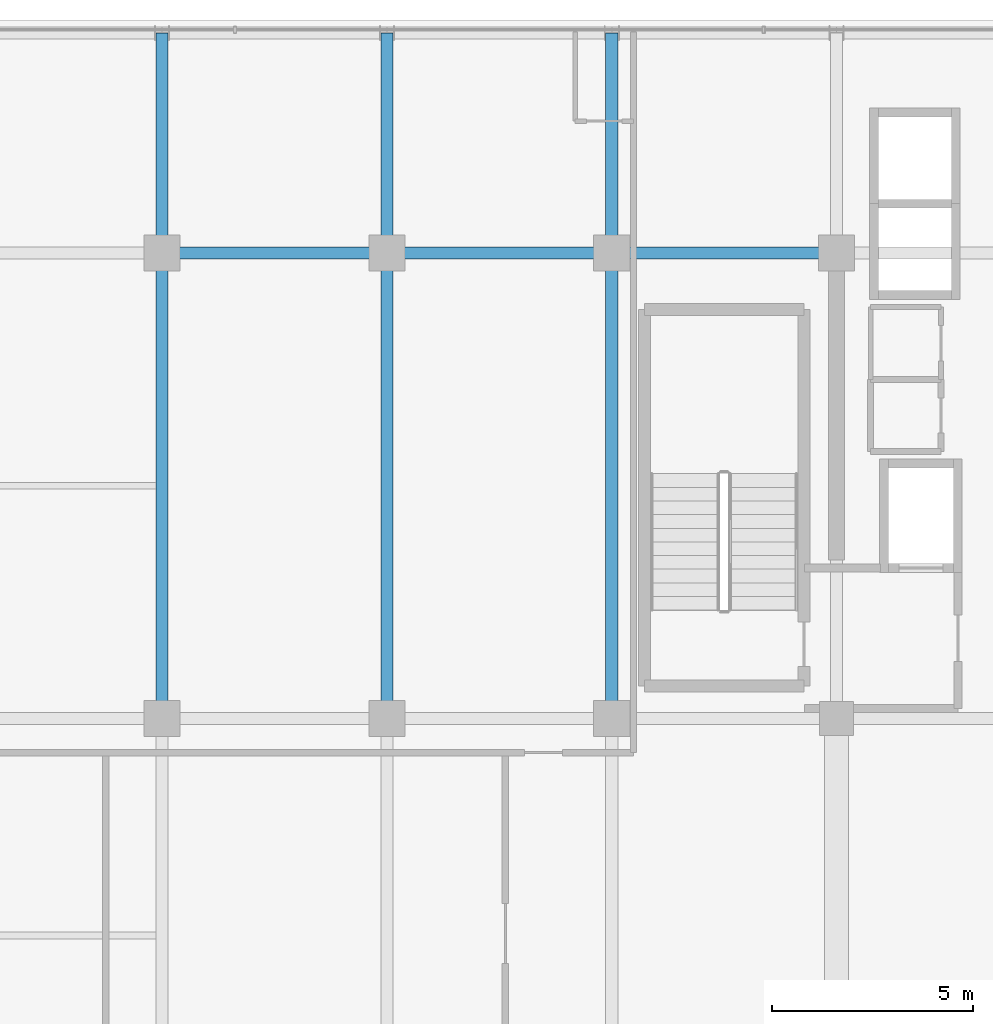
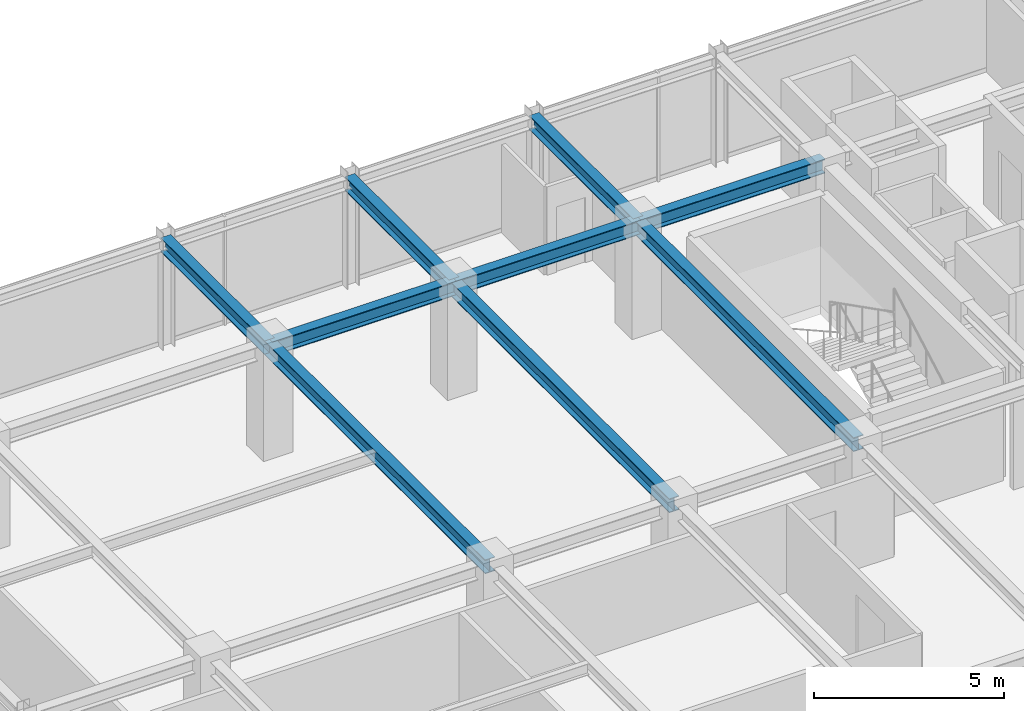
# One storey, part 19 of 31: 9 beams.
"""IFC4 building model written with IfcOpenShell, lengths in metres."""

import ifcopenshell
import ifcopenshell.guid

model = None  # the IFC model being written
_history = None  # IfcOwnerHistory: only IFC2X3 demands one
_inside = {}  # id of a spatial element -> (the spatial element, [elements in it])
_under = {}  # id of a project, library or spatial element -> (it, [spatial elements below it])
_declared = {}  # id of a project -> (the project, [libraries it declares])
_typed = {}  # id of a type object -> (the type object, [elements of that type])
_made_of = {}  # id of a material, layer set ... -> (it, [elements and type objects made of it])


def new_model(schema):
    """Start an empty IFC model of exactly this schema.

    Asked for "IFC4X3", IfcOpenShell would pick the latest addendum, in which some entities
    have other attributes; the version numbers below select the first issue.
    IFC2X3 requires an IfcOwnerHistory on every rooted entity: one is made here for all.
    """
    global model, _history
    if schema == "IFC4X3":
        model = ifcopenshell.file(schema_version=(4, 3, 0, 0))
    else:
        model = ifcopenshell.file(schema=schema)
    _inside.clear()
    _under.clear()
    _declared.clear()
    _typed.clear()
    _made_of.clear()
    _history = None
    if model.schema == "IFC2X3":
        org = make("IfcOrganization", Name="unknown")
        user = make(
            "IfcPersonAndOrganization",
            ThePerson=make("IfcPerson", FamilyName="unknown"),
            TheOrganization=org,
        )
        app = make(
            "IfcApplication",
            ApplicationDeveloper=org,
            Version="unknown",
            ApplicationFullName="unknown",
            ApplicationIdentifier="unknown",
        )
        _history = make(
            "IfcOwnerHistory",
            OwningUser=user,
            OwningApplication=app,
            ChangeAction="ADDED",
            CreationDate=0,
        )
    return model


def make(cls, **values):
    """One entity of the class cls with the attributes given. An attribute that is None is left unset."""
    return model.create_entity(
        cls, **{name: value for name, value in values.items() if value is not None}
    )


def rooted(cls, **values):
    """An entity with a GlobalId (a new one), such as an element, a storey or a relation."""
    return make(cls, GlobalId=ifcopenshell.guid.new(), OwnerHistory=_history, **values)


def si_unit(unit_type, name, prefix=None):
    """IfcSIUnit, for example si_unit("LENGTHUNIT", "METRE", prefix="MILLI")."""
    return make("IfcSIUnit", UnitType=unit_type, Prefix=prefix, Name=name)


def assignment(units):
    """IfcUnitAssignment: the units of a project."""
    return None if units is None else make("IfcUnitAssignment", Units=units)


def point(xyz):
    """IfcCartesianPoint."""
    return None if xyz is None else make("IfcCartesianPoint", Coordinates=xyz)


def direction(xyz):
    """IfcDirection."""
    return None if xyz is None else make("IfcDirection", DirectionRatios=xyz)


def frame(location, z_axis=None, x_axis=None):
    """IfcAxis2Placement3D, a coordinate frame: its origin and axes. An axis left out is left unset."""
    return make(
        "IfcAxis2Placement3D",
        Location=point(location),
        Axis=direction(z_axis),
        RefDirection=direction(x_axis),
    )


def frame_2d(location, x_axis=None):
    """IfcAxis2Placement2D, a coordinate frame in the plane: its origin and x axis."""
    return make(
        "IfcAxis2Placement2D", Location=point(location), RefDirection=direction(x_axis)
    )


def origin():
    """The frame at (0, 0, 0) with its axes left unset."""
    return frame((0.0, 0.0, 0.0))


def origin_2d():
    """The frame at (0, 0) in the plane with its x axis left unset."""
    return frame_2d((0.0, 0.0))


def place(relative_to, where):
    """IfcLocalPlacement: puts the frame where relative to a parent placement (None: the world)."""
    return make(
        "IfcLocalPlacement", PlacementRelTo=relative_to, RelativePlacement=where
    )


def context(
    kind, dimensions, precision=None, world=None, true_north=None, identifier=None
):
    """IfcGeometricRepresentationContext, for example the 3D "Model" context."""
    return make(
        "IfcGeometricRepresentationContext",
        ContextIdentifier=identifier,
        ContextType=kind,
        CoordinateSpaceDimension=dimensions,
        Precision=precision,
        WorldCoordinateSystem=world,
        TrueNorth=true_north,
    )


def subcontext(parent, identifier, kind, view, scale=None):
    """IfcGeometricRepresentationSubContext, for example "Body" below "Model"."""
    return make(
        "IfcGeometricRepresentationSubContext",
        ContextIdentifier=identifier,
        ContextType=kind,
        ParentContext=parent,
        TargetScale=scale,
        TargetView=view,
    )


def project(units=None, contexts=None):
    """IfcProject with its units and contexts."""
    return rooted(
        "IfcProject",
        Name="project",
        RepresentationContexts=contexts,
        UnitsInContext=assignment(units),
    )


def spatial(cls, under=None, at=None, **own):
    """A site, building, storey or space (cls), placed at a placement, below another one or the project."""
    s = rooted(cls, ObjectPlacement=at, **own)
    if under is not None:
        _under.setdefault(under.id(), (under, []))[1].append(s)
    return s


def profile(cls, at=None, kind="AREA", **sizes):
    """A parametric profile (cls). Its sizes go by their IFC names, for example OverallWidth=200.0."""
    return make(cls, ProfileType=kind, Position=at, **sizes)


def i_section(**sizes):
    """IfcIShapeProfileDef."""
    return profile("IfcIShapeProfileDef", **sizes)


def extrude(swept, where, along, depth):
    """IfcExtrudedAreaSolid: the profile swept, set in the frame where, extruded along a direction by depth."""
    return make(
        "IfcExtrudedAreaSolid",
        SweptArea=swept,
        Position=where,
        ExtrudedDirection=direction(along),
        Depth=depth,
    )


def shape(context_of_items, identifier, shape_type, items):
    """IfcShapeRepresentation: the items that make up one representation, for example the "Body"."""
    return make(
        "IfcShapeRepresentation",
        ContextOfItems=context_of_items,
        RepresentationIdentifier=identifier,
        RepresentationType=shape_type,
        Items=items,
    )


def source(mapping_origin, context_of_items, identifier, shape_type, items):
    """IfcRepresentationMap: a shape defined once, which mapped items show again and again."""
    return make(
        "IfcRepresentationMap",
        MappingOrigin=mapping_origin,
        MappedRepresentation=shape(context_of_items, identifier, shape_type, items),
    )


def transform(
    local_origin,
    x_axis=None,
    y_axis=None,
    z_axis=None,
    scale=None,
    scale2=None,
    scale3=None,
    uniform=True,
):
    """IfcCartesianTransformationOperator3D, or its non-uniform kind. x_axis, y_axis, z_axis: its Axis1, 2, 3."""
    if uniform:
        return make(
            "IfcCartesianTransformationOperator3D",
            Axis1=direction(x_axis),
            Axis2=direction(y_axis),
            LocalOrigin=point(local_origin),
            Scale=scale,
            Axis3=direction(z_axis),
        )
    return make(
        "IfcCartesianTransformationOperator3DnonUniform",
        Axis1=direction(x_axis),
        Axis2=direction(y_axis),
        LocalOrigin=point(local_origin),
        Scale=scale,
        Axis3=direction(z_axis),
        Scale2=scale2,
        Scale3=scale3,
    )


def mapped(mapping_source, mapping_target):
    """IfcMappedItem: shows the shape of a source again, moved by a transform."""
    return make(
        "IfcMappedItem", MappingSource=mapping_source, MappingTarget=mapping_target
    )


def material(Name=None, Category=None):
    """IfcMaterial."""
    return make("IfcMaterial", Name=Name, Category=Category)


def material_profile(
    of_material, cross_section, Name=None, Category=None, Priority=None
):
    """IfcMaterialProfile: a cross section and its material."""
    return make(
        "IfcMaterialProfile",
        Name=Name,
        Material=of_material,
        Profile=cross_section,
        Priority=Priority,
        Category=Category,
    )


def profile_set(profiles, Name=None, composite=None):
    """IfcMaterialProfileSet."""
    return make(
        "IfcMaterialProfileSet",
        Name=Name,
        MaterialProfiles=profiles,
        CompositeProfile=composite,
    )


def made_of(thing, what):
    """Note that an element or type object is made of a material, layer set ...; save() writes the relation."""
    if what is not None:
        _made_of.setdefault(what.id(), (what, []))[1].append(thing)
    return thing


def type_object(cls, material=None, **own):
    """A type object (cls), such as IfcWallType, which elements share."""
    return made_of(rooted(cls, **own), material)


def element(
    cls,
    number,
    at=None,
    inside=None,
    cuts=None,
    type_object=None,
    material=None,
    context=None,
    identifier="Body",
    shape_type=None,
    held_by="IfcProductDefinitionShape",
    body=None,
    shapes=None,
    **own,
):
    """One element of the class cls, such as IfcWall. Its Tag is "e" and its number.

    at: its placement. inside: the storey or other place that contains it. cuts: it is an
    opening in that element (IfcRelVoidsElement). A single representation is given by context,
    identifier, shape_type and body (its items); several are given by shapes. held_by: the class
    of the entity that holds the representations. save() writes the other relations.
    """
    e = rooted(cls, Tag="e%d" % number, ObjectPlacement=at, **own)
    if body is not None:
        shapes = [shape(context, identifier, shape_type, body)]
    if shapes is not None:
        e.Representation = make(held_by, Representations=shapes)
    if inside is not None:
        _inside.setdefault(inside.id(), (inside, []))[1].append(e)
    if cuts is not None:
        rooted(
            "IfcRelVoidsElement", RelatingBuildingElement=cuts, RelatedOpeningElement=e
        )
    if type_object is not None:
        _typed.setdefault(type_object.id(), (type_object, []))[1].append(e)
    return made_of(e, material)


def aggregate(whole, parts):
    """IfcRelAggregates: a whole, such as a stair, and the parts it consists of."""
    return rooted("IfcRelAggregates", RelatingObject=whole, RelatedObjects=parts)


def save(model, path):
    """Write the relations noted so far, then the file.

    IfcRelAggregates (storeys below a building ...), IfcRelContainedInSpatialStructure (elements
    in a storey), IfcRelDefinesByType, IfcRelAssociatesMaterial and IfcRelDeclares: one each for
    every whole, place, type object, material and project.
    """
    for whole, parts in _under.values():
        aggregate(whole, parts)
    for where, things in _inside.values():
        rooted(
            "IfcRelContainedInSpatialStructure",
            RelatedElements=things,
            RelatingStructure=where,
        )
    for kind, things in _typed.values():
        rooted("IfcRelDefinesByType", RelatedObjects=things, RelatingType=kind)
    for what, things in _made_of.values():
        rooted("IfcRelAssociatesMaterial", RelatedObjects=things, RelatingMaterial=what)
    for by, libraries in _declared.values():
        rooted("IfcRelDeclares", RelatingContext=by, RelatedDefinitions=libraries)
    model.write(path)


model = new_model("IFC4")

# Units and contexts
model_context = context("Model", 3, precision=1e-05, world=origin(), true_north=direction((0.0, 1.0)))
body_context = subcontext(model_context, "Body", "Model", "MODEL_VIEW")
ifc_project = project(units=[si_unit("LENGTHUNIT", "METRE"), si_unit("AREAUNIT", "SQUARE_METRE"), si_unit("VOLUMEUNIT", "CUBIC_METRE"), si_unit("PLANEANGLEUNIT", "RADIAN"), si_unit("MASSUNIT", "GRAM", prefix="KILO")], contexts=[model_context])

# Site, building, storey
site_placement = place(None, origin())
site = spatial("IfcSite", under=ifc_project, at=site_placement, CompositionType="ELEMENT")
building_placement = place(site_placement, origin())
building = spatial("IfcBuilding", under=site, at=building_placement, Name="Nahalor Promenade Grand Hotel", CompositionType="ELEMENT")
storey_placement = place(building_placement, frame((0.0, 0.0, 323.35009765625)))
storey = spatial("IfcBuildingStorey", under=building, at=storey_placement, Name="L83", CompositionType="ELEMENT", Elevation=323.35009765625)

# Beams
ifc_material = material(Name="Steel S355JR", Category="steel")
ifc_material_profile = material_profile(ifc_material, i_section(OverallWidth=0.3, OverallDepth=0.45, WebThickness=0.014, FlangeThickness=0.026, at=origin_2d()), Name="HEB 450")
ifc_profile_set = profile_set([ifc_material_profile], Name="Steel S355JR")
beam_type = type_object("IfcBeamType", Name="Beam-Girder-HEB450", PredefinedType="BEAM", material=ifc_profile_set)
shared_shape_1 = source(origin(), body_context, "Body", "SweptSolid", [
    extrude(i_section(OverallWidth=0.3, OverallDepth=0.45, WebThickness=0.014, FlangeThickness=0.026, at=origin_2d()), origin(), (0.0, 0.0, 1.0), 5.599853515625),
])
for number, where, z_axis, x_axis, name in (
    (1, (-8.39990234375, 17.0, 3.27490234375), (1.0, 0.0, 0.0), (0.0, 1.0, 0.0), "BM-L83-GX-3-2"),
    (2, (2.800048828125, 17.0, 3.27490234375), (1.0, 0.0, 0.0), (0.0, 1.0, 0.0), "BM-L83-GX-3-4"),
):
    element("IfcBeam", number, at=place(storey_placement, frame(where, z_axis=z_axis, x_axis=x_axis)), inside=storey, type_object=beam_type, Name=name, PredefinedType="BEAM", context=body_context, shape_type="MappedRepresentation", body=[
        mapped(shared_shape_1, transform((0.0, 0.0, 0.0), scale=1.0)),
    ])
shared_shape_2 = source(origin(), body_context, "Body", "SweptSolid", [
    extrude(i_section(OverallWidth=0.3, OverallDepth=0.45, WebThickness=0.014, FlangeThickness=0.026, at=origin_2d()), origin(), (0.0, 0.0, 1.0), 5.60009765625),
])
beam_placement = place(storey_placement, frame((-2.800048828125, 17.0, 3.27490234375), z_axis=(1.0, 0.0, 0.0), x_axis=(0.0, 1.0, 0.0)))
element("IfcBeam", 3, at=beam_placement, inside=storey, type_object=beam_type, Name="BM-L83-GX-3-3", PredefinedType="BEAM", context=body_context, shape_type="MappedRepresentation", body=[
    mapped(shared_shape_2, transform((0.0, 0.0, 0.0), scale=1.0)),
])
shared_shape_3 = source(origin(), body_context, "Body", "SweptSolid", [
    extrude(i_section(OverallWidth=0.3, OverallDepth=0.45, WebThickness=0.014, FlangeThickness=0.026, at=origin_2d()), origin(), (0.0, 0.0, 1.0), 11.60009765625),
])
for number, where, z_axis, x_axis, name in (
    (4, (-8.39990234375, 5.39990234375, 3.27490234375), (0.0, 1.0, 0.0), (-1.0, 0.0, 0.0), "BM-L83-GY-1-3"),
    (5, (-2.800048828125, 5.39990234375, 3.27490234375), (0.0, 1.0, 0.0), (-1.0, 0.0, 0.0), "BM-L83-GY-2-3"),
    (6, (2.800048828125, 5.39990234375, 3.27490234375), (0.0, 1.0, 0.0), (-1.0, 0.0, 0.0), "BM-L83-GY-3-3"),
):
    element("IfcBeam", number, at=place(storey_placement, frame(where, z_axis=z_axis, x_axis=x_axis)), inside=storey, type_object=beam_type, Name=name, PredefinedType="BEAM", context=body_context, shape_type="MappedRepresentation", body=[
        mapped(shared_shape_3, transform((0.0, 0.0, 0.0), scale=1.0)),
    ])
shared_shape_4 = source(origin(), body_context, "Body", "SweptSolid", [
    extrude(i_section(OverallWidth=0.3, OverallDepth=0.45, WebThickness=0.014, FlangeThickness=0.026, at=origin_2d()), origin(), (0.0, 0.0, 1.0), 5.47998046875),
])
for number, where, z_axis, x_axis, name in (
    (7, (-8.39990234375, 17.0, 3.27490234375), (0.0, 1.0, 0.0), (-1.0, 0.0, 0.0), "BM-L83-GY-1-4"),
    (8, (-2.800048828125, 17.0, 3.27490234375), (0.0, 1.0, 0.0), (-1.0, 0.0, 0.0), "BM-L83-GY-2-4"),
    (9, (2.800048828125, 17.0, 3.27490234375), (0.0, 1.0, 0.0), (-1.0, 0.0, 0.0), "BM-L83-GY-3-4"),
):
    element("IfcBeam", number, at=place(storey_placement, frame(where, z_axis=z_axis, x_axis=x_axis)), inside=storey, type_object=beam_type, Name=name, PredefinedType="BEAM", context=body_context, shape_type="MappedRepresentation", body=[
        mapped(shared_shape_4, transform((0.0, 0.0, 0.0), scale=1.0)),
    ])

save(model, "model.ifc")
